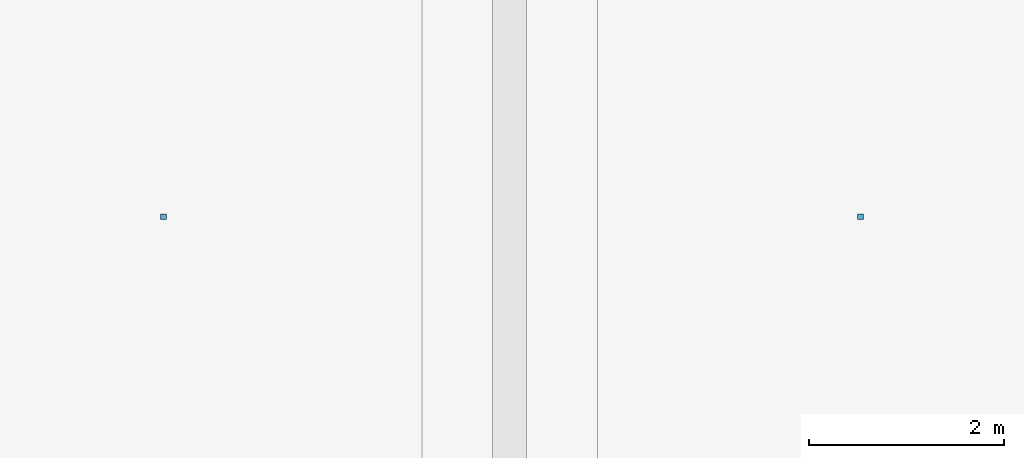
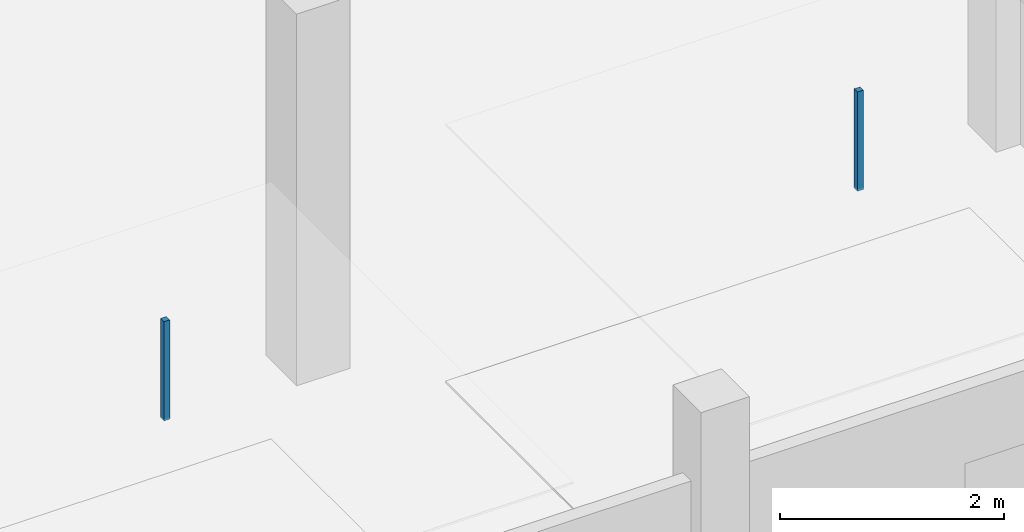
# One storey, part 79 of 91: 2 discrete accessories.
"""IFC4 building model written with IfcOpenShell, lengths in metres."""

from ifc_helpers import new_model, si_unit, direction, frame, origin, origin_2d, place, context, subcontext, project, spatial, rectangle, extrude, material, type_object, element, save


model = new_model("IFC4")

# Units and contexts
model_context = context("Model", 3, precision=1e-05, world=origin(), true_north=direction((0.0, 1.0)))
body_context = subcontext(model_context, "Body", "Model", "MODEL_VIEW")
ifc_project = project(units=[si_unit("LENGTHUNIT", "METRE"), si_unit("AREAUNIT", "SQUARE_METRE"), si_unit("VOLUMEUNIT", "CUBIC_METRE"), si_unit("PLANEANGLEUNIT", "RADIAN"), si_unit("MASSUNIT", "GRAM", prefix="KILO")], contexts=[model_context])

# Site, building, storey
site_placement = place(None, origin())
site = spatial("IfcSite", under=ifc_project, at=site_placement, CompositionType="ELEMENT")
building_placement = place(site_placement, origin())
building = spatial("IfcBuilding", under=site, at=building_placement, Name="Kangsadwip Square Police Headquarters", CompositionType="ELEMENT")
storey_placement = place(building_placement, frame((0.0, 0.0, 13.5)))
storey = spatial("IfcBuildingStorey", under=building, at=storey_placement, Name="L03", CompositionType="ELEMENT", Elevation=13.5)

# Discrete accessories
ifc_material = material(Name="Structural steel IS 2062 E350 (Grade 350, 350 MPa)", Category="steel")
discrete_accessory_type = type_object("IfcDiscreteAccessoryType", Name="VeilOutriggerBracket", PredefinedType="BRACKET", material=ifc_material)
for number, where, z_axis, x_axis, name in (
    (1, (3.64990234375, 104.39990234375, 2.81005859375), (0.0, 0.0, 1.0), (1.0, 0.0, 0.0), "Ceiling Suspension Hanger L03-091"),
    (2, (10.800048828125, 104.39990234375, 2.81005859375), (0.0, 0.0, 1.0), (1.0, 0.0, 0.0), "Ceiling Suspension Hanger L03-092"),
):
    element("IfcDiscreteAccessory", number, at=place(storey_placement, frame(where, z_axis=z_axis, x_axis=x_axis)), inside=storey, type_object=discrete_accessory_type, Name=name, PredefinedType="BRACKET", context=body_context, shape_type="SweptSolid", body=[
        extrude(rectangle(XDim=0.06005859375, YDim=0.06005859375, at=origin_2d()), origin(), (0.0, 0.0, 1.0), 1.080078125),
    ])

save(model, "model.ifc")
